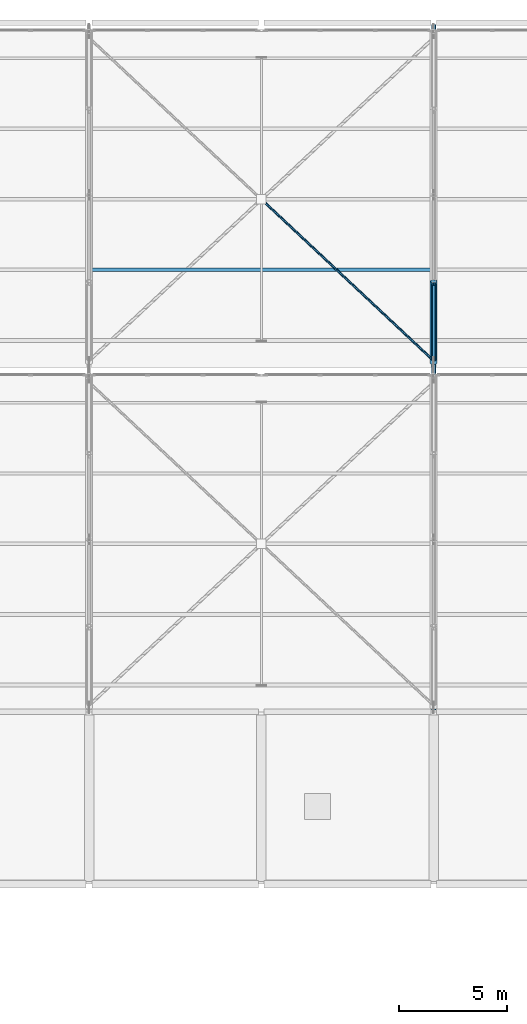
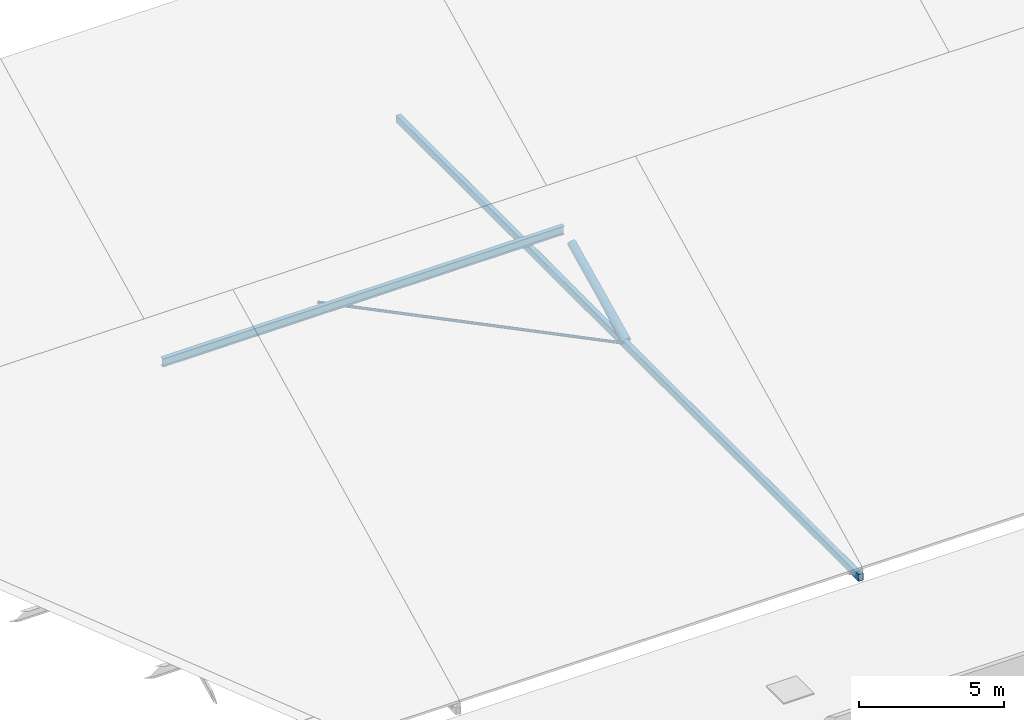
# One storey, part 78 of 137: 4 members, 1 beam.
"""IFC4 building model written with IfcOpenShell, lengths in metres."""

from ifc_helpers import new_model, si_unit, direction, frame, origin, origin_2d, place, context, subcontext, project, spatial, hollow_rectangle, hollow_circle, i_section, extrude, material, material_profile, profile_set, type_object, element, save


model = new_model("IFC4")

# Units and contexts
model_context = context("Model", 3, precision=1e-05, world=origin(), true_north=direction((0.0, 1.0)))
body_context = subcontext(model_context, "Body", "Model", "MODEL_VIEW")
ifc_project = project(units=[si_unit("LENGTHUNIT", "METRE"), si_unit("AREAUNIT", "SQUARE_METRE"), si_unit("VOLUMEUNIT", "CUBIC_METRE"), si_unit("PLANEANGLEUNIT", "RADIAN"), si_unit("MASSUNIT", "GRAM", prefix="KILO")], contexts=[model_context])

# Site, building, storey
site_placement = place(None, origin())
site = spatial("IfcSite", under=ifc_project, at=site_placement, CompositionType="ELEMENT")
building_placement = place(site_placement, origin())
building = spatial("IfcBuilding", under=site, at=building_placement, Name="Jelvoka-Kovrelna Polytechnic", CompositionType="ELEMENT")
storey_placement = place(building_placement, frame((0.0, 0.0, 9.60009765625)))
storey = spatial("IfcBuildingStorey", under=building, at=storey_placement, Name="L03", CompositionType="ELEMENT", Elevation=9.60009765625)

# Members
ifc_material_1 = material(Name="Structural steel S355J2H", Category="steel")
ifc_material_profile_1 = material_profile(ifc_material_1, hollow_circle(Radius=0.05712890625, WallThickness=0.00634765625, at=origin_2d()), Name="114.3x6.3 CHS")
ifc_profile_set_1 = profile_set([ifc_material_profile_1], Name="Structural steel S355J2H")
member_type_1 = type_object("IfcMemberType", Name="Member_Brace_CHS114", PredefinedType="BRACE", material=ifc_profile_set_1)
member_1_placement = place(storey_placement, frame((160.065673828125, 111.738525390625, 0.14990234375), z_axis=(0.729679522085, -0.683789291412, 0.0), x_axis=(0.683789291412, 0.729679522085, 0.0)))
element("IfcMember", 1, at=member_1_placement, inside=storey, type_object=member_type_1, Name="Sawtooth roof split X-brace half-diagonal 0222B", PredefinedType="BRACE", context=body_context, shape_type="SweptSolid", body=[
    extrude(hollow_circle(Radius=0.05712890625, WallThickness=0.00634765625, at=origin_2d()), origin(), (0.0, 0.0, 1.0), 10.80517578125),
])
ifc_material_2 = material(Name="Structural steel S355J2H", Category="steel")
ifc_material_profile_2 = material_profile(ifc_material_2, hollow_circle(Radius=0.109619140625, WallThickness=0.008056640625, at=origin_2d()), Name="219.1x8.0 CHS")
ifc_profile_set_2 = profile_set([ifc_material_profile_2], Name="Structural steel S355J2H")
member_type_2 = type_object("IfcMemberType", Name="Member_Brace_CHS219", PredefinedType="BRACE", material=ifc_profile_set_2)
member_2_placement = place(storey_placement, frame((168.0, 104.340087890625, 0.14990234375), z_axis=(0.0, 0.878084029324, 0.478506465418), x_axis=(-1.0, 0.0, 0.0)))
element("IfcMember", 2, at=member_2_placement, inside=storey, type_object=member_type_2, Name="Sawtooth truss 6 diagonal web 2.1", PredefinedType="BRACE", context=body_context, shape_type="SweptSolid", body=[
    extrude(hollow_circle(Radius=0.109619140625, WallThickness=0.008056640625, at=origin_2d()), origin(), (0.0, 0.0, 1.0), 4.0087890625),
])
ifc_material_3 = material(Name="Structural steel S355J2H", Category="steel")
ifc_material_profile_3 = material_profile(ifc_material_3, hollow_circle(Radius=0.161865234375, WallThickness=0.010009765625, at=origin_2d()), Name="323.9x10.0 CHS")
ifc_profile_set_3 = profile_set([ifc_material_profile_3], Name="Structural steel S355J2H")
member_type_3 = type_object("IfcMemberType", Name="Member_Chord_CHS324", PredefinedType="CHORD", material=ifc_profile_set_3)
member_3_placement = place(storey_placement, frame((168.0, 104.199951171875, 0.31640625), z_axis=(0.0, 0.900803851837, 0.434226231952), x_axis=(-1.0, 0.0, 0.0)))
element("IfcMember", 3, at=member_3_placement, inside=storey, type_object=member_type_3, Name="Sawtooth truss 6 top chord 2.1", PredefinedType="CHORD", context=body_context, shape_type="SweptSolid", body=[
    extrude(hollow_circle(Radius=0.161865234375, WallThickness=0.010009765625, at=origin_2d()), origin(), (0.0, 0.0, 1.0), 4.218505859375),
])
ifc_material_4 = material(Name="Structural steel S355J2H", Category="steel")
ifc_material_profile_4 = material_profile(ifc_material_4, hollow_rectangle(XDim=0.199951171875, YDim=0.300048828125, WallThickness=0.010009765625, InnerFilletRadius=0.010009765625, OuterFilletRadius=0.014892578125, at=origin_2d()), Name="300x200x10.0 RHS")
ifc_profile_set_4 = profile_set([ifc_material_profile_4], Name="Structural steel S355J2H")
member_type_4 = type_object("IfcMemberType", Name="Member_Chord_RHS300", PredefinedType="CHORD", material=ifc_profile_set_4)
member_4_placement = place(storey_placement, frame((168.0, 88.080078125, 0.14990234375), z_axis=(0.0, 1.0, 0.0), x_axis=(-1.0, 0.0, 0.0)))
element("IfcMember", 4, at=member_4_placement, inside=storey, type_object=member_type_4, Name="Sawtooth truss 6 continuous bottom chord", PredefinedType="CHORD", context=body_context, shape_type="SweptSolid", body=[
    extrude(hollow_rectangle(XDim=0.199951171875, YDim=0.300048828125, WallThickness=0.010009765625, InnerFilletRadius=0.010009765625, OuterFilletRadius=0.014892578125, at=origin_2d()), origin(), (0.0, 0.0, 1.0), 31.83984375),
])

# Beam
ifc_material_5 = material(Name="Structural steel S355JR", Category="steel")
ifc_material_profile_5 = material_profile(ifc_material_5, i_section(OverallWidth=0.17138671875, OverallDepth=0.35498046875, WebThickness=0.00732421875, FlangeThickness=0.011474609375, FilletRadius=0.01025390625, at=origin_2d()), Name="356x171x51 UB")
ifc_profile_set_5 = profile_set([ifc_material_profile_5], Name="Structural steel S355JR")
beam_type = type_object("IfcBeamType", Name="Purlin_Steel_UB356", PredefinedType="JOIST", material=ifc_profile_set_5)
beam_placement = place(storey_placement, frame((152.02001953125, 108.52392578125, 2.400634765625), z_axis=(1.0, 0.0, 0.0), x_axis=(0.0, 1.0, 0.0)))
element("IfcBeam", 5, at=beam_placement, inside=storey, type_object=beam_type, Name="Sawtooth roof purlin 047", PredefinedType="JOIST", context=body_context, shape_type="SweptSolid", body=[
    extrude(i_section(OverallWidth=0.17138671875, OverallDepth=0.35498046875, WebThickness=0.00732421875, FlangeThickness=0.011474609375, FilletRadius=0.01025390625, at=origin_2d()), origin(), (0.0, 0.0, 1.0), 15.9599609375),
])

save(model, "model.ifc")
